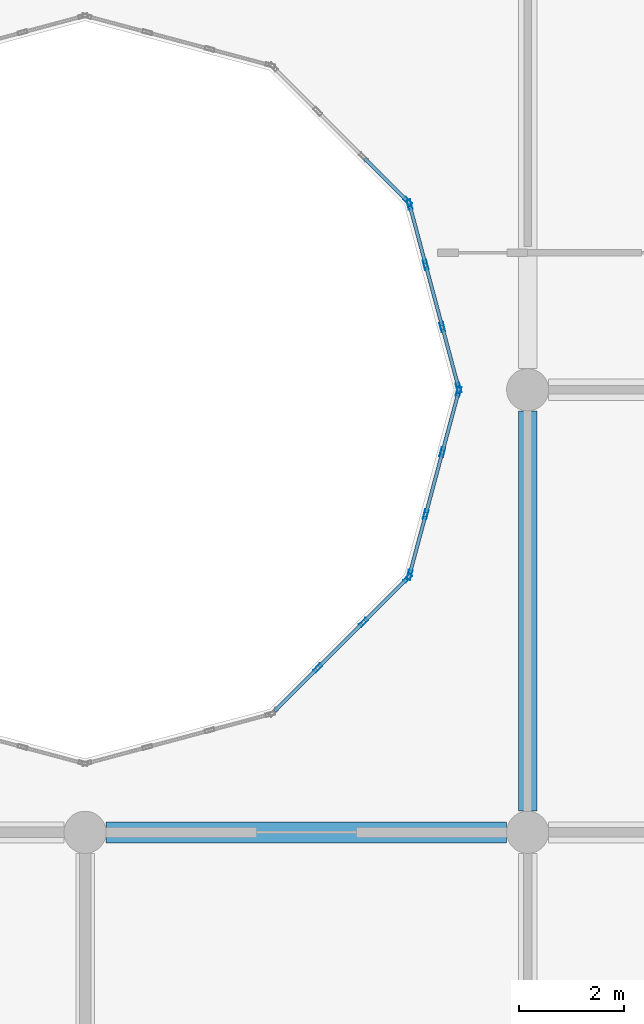
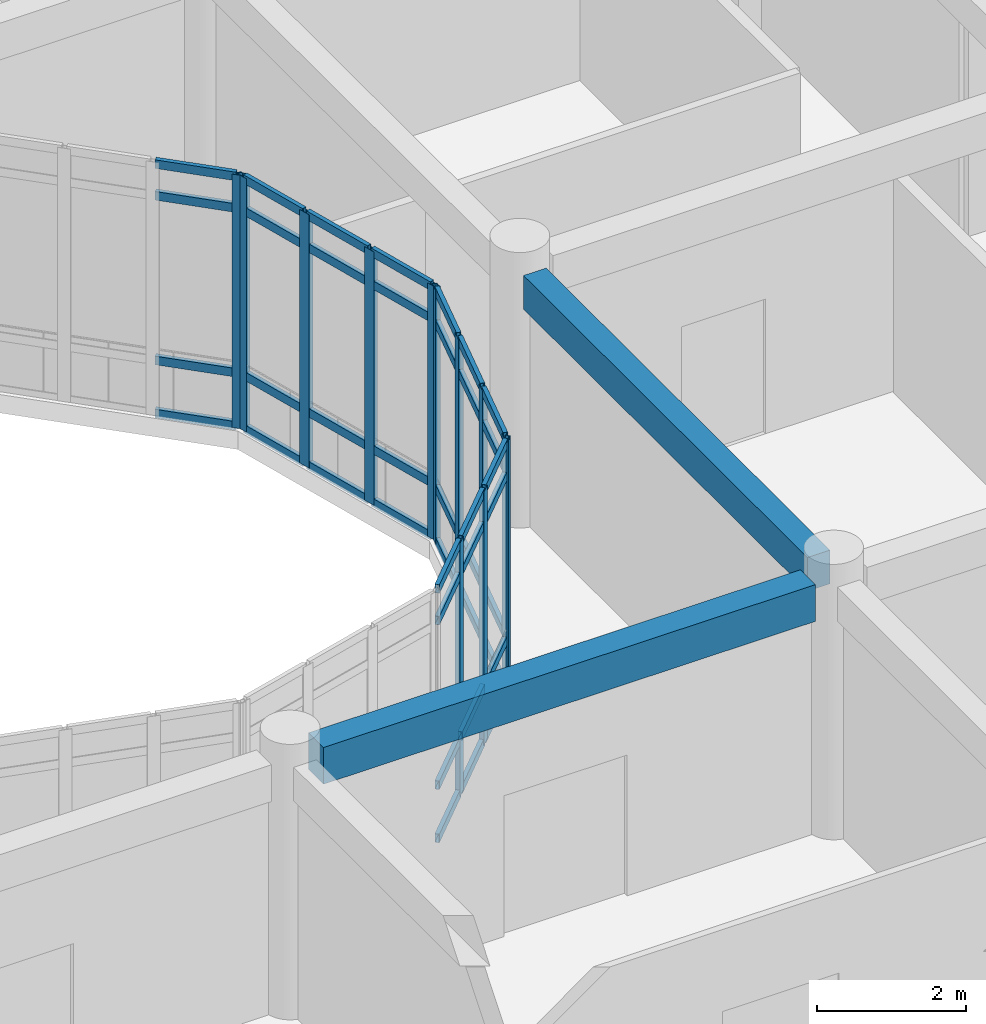
# One storey, part 46 of 144: 52 members, 2 beams, 4 elements without a shape of their own.
"""IFC4 building model written with IfcOpenShell, lengths in metres."""

from ifc_helpers import new_model, si_unit, direction, frame, origin, origin_2d, place, context, subcontext, project, spatial, rectangle, hollow_rectangle, extrude, material, layer, layer_set, material_profile, profile_set, type_object, element, aggregate, save


model = new_model("IFC4")

# Units and contexts
model_context = context("Model", 3, precision=1e-05, world=origin(), true_north=direction((0.0, 1.0)))
body_context = subcontext(model_context, "Body", "Model", "MODEL_VIEW")
ifc_project = project(units=[si_unit("LENGTHUNIT", "METRE"), si_unit("AREAUNIT", "SQUARE_METRE"), si_unit("VOLUMEUNIT", "CUBIC_METRE"), si_unit("PLANEANGLEUNIT", "RADIAN"), si_unit("MASSUNIT", "GRAM", prefix="KILO")], contexts=[model_context])

# Site, building, storey
site_placement = place(None, origin())
site = spatial("IfcSite", under=ifc_project, at=site_placement, CompositionType="ELEMENT")
building_placement = place(site_placement, origin())
building = spatial("IfcBuilding", under=site, at=building_placement, Name="Bramfleet General Hospital", CompositionType="ELEMENT")
storey_placement = place(building_placement, frame((0.0, 0.0, 4.800048828125)))
storey = spatial("IfcBuildingStorey", under=building, at=storey_placement, Name="L01", CompositionType="ELEMENT", Elevation=4.800048828125)

# Beams
ifc_material_1 = material(Name="Concrete C35/45", Category="concrete")
ifc_material_profile_1 = material_profile(ifc_material_1, rectangle(XDim=0.35009765625, YDim=0.550048828125, at=origin_2d()), Name="RC BM 550x350")
ifc_profile_set_1 = profile_set([ifc_material_profile_1], Name="Concrete C35/45")
beam_type_1 = type_object("IfcBeamType", Name="BM-RC550", PredefinedType="BEAM", material=ifc_profile_set_1)
beam_1_placement = place(storey_placement, frame((92.39990234375, 67.60009765625, 3.875), z_axis=(0.0, 1.0, 0.0), x_axis=(-1.0, 0.0, 0.0)))
element("IfcBeam", 1, at=beam_1_placement, inside=storey, type_object=beam_type_1, Name="L01 Grid Beam Y 11-08", PredefinedType="BEAM", context=body_context, shape_type="SweptSolid", body=[
    extrude(rectangle(XDim=0.35009765625, YDim=0.550048828125, at=origin_2d()), origin(), (0.0, 0.0, 1.0), 7.599853515625),
])
ifc_material_profile_2 = material_profile(ifc_material_1, rectangle(XDim=0.39990234375, YDim=0.60009765625, at=origin_2d()), Name="RC BM 600x400")
ifc_profile_set_2 = profile_set([ifc_material_profile_2], Name="Concrete C35/45")
beam_type_2 = type_object("IfcBeamType", Name="BM-RC600", PredefinedType="BEAM", material=ifc_profile_set_2)
beam_2_placement = place(storey_placement, frame((84.39990234375, 67.199951171875, 3.849853515625), z_axis=(1.0, 0.0, 0.0), x_axis=(0.0, 1.0, 0.0)))
element("IfcBeam", 2, at=beam_2_placement, inside=storey, type_object=beam_type_2, Name="L01 Grid Beam X 10-08", PredefinedType="BEAM", context=body_context, shape_type="SweptSolid", body=[
    extrude(rectangle(XDim=0.39990234375, YDim=0.60009765625, at=origin_2d()), origin(), (0.0, 0.0, 1.0), 7.60009765625),
])

# Curtain wall, members
ifc_material_2 = material(Name="Anodised aluminium and low-E triple glazing", Category="aluminium")
ifc_layer_1 = layer(ifc_material_2, 0.179931640625, Name="CWT-CW-17")
ifc_layer_set_1 = layer_set([ifc_layer_1], Name="Anodised aluminium and low-E triple glazing")
curtain_wall_type_1 = type_object("IfcCurtainWallType", Name="CWT-CW-17", PredefinedType="USERDEFINED", material=ifc_layer_set_1)
curtain_wall_1_placement = place(storey_placement, origin())
curtain_wall_1 = element("IfcCurtainWall", 3, at=curtain_wall_1_placement, inside=storey, type_object=curtain_wall_type_1, Name="L01 Central Diagnostic Light Court Curtain Wall 5.1", ObjectType="Stick curtain wall", PredefinedType="USERDEFINED")
ifc_material_3 = material(Name="Anodised aluminium EN AW-6060", Category="aluminium")
ifc_material_profile_3 = material_profile(ifc_material_3, hollow_rectangle(XDim=0.070068359375, YDim=0.179931640625, WallThickness=0.00390625, at=origin_2d()), Name="ALU 180x70x4.0")
ifc_profile_set_3 = profile_set([ifc_material_profile_3], Name="Anodised aluminium EN AW-6060")
member_type_1 = type_object("IfcMemberType", Name="CWM-ALU180", PredefinedType="MULLION", material=ifc_profile_set_3)
member_1_placement = place(storey_placement, frame((88.416259765625, 70.3173828125, 0.0), z_axis=(0.0, 0.0, 1.0), x_axis=(-0.707106781187, 0.707106781187, 0.0)))
member_1 = element("IfcMember", 4, at=member_1_placement, type_object=member_type_1, Name="CW-17 mullion 2", PredefinedType="MULLION", context=body_context, shape_type="SweptSolid", body=[
    extrude(hollow_rectangle(XDim=0.070068359375, YDim=0.179931640625, WallThickness=0.00390625, at=origin_2d()), origin(), (0.0, 0.0, 1.0), 4.139892578125),
])
member_2_placement = place(storey_placement, frame((89.28271484375, 71.18359375, 0.0), z_axis=(0.0, 0.0, 1.0), x_axis=(-0.707106781187, 0.707106781187, 0.0)))
member_2 = element("IfcMember", 5, at=member_2_placement, type_object=member_type_1, Name="CW-17 mullion 3", PredefinedType="MULLION", context=body_context, shape_type="SweptSolid", body=[
    extrude(hollow_rectangle(XDim=0.070068359375, YDim=0.179931640625, WallThickness=0.00390625, at=origin_2d()), origin(), (0.0, 0.0, 1.0), 4.139892578125),
])
member_3_placement = place(storey_placement, frame((90.124267578125, 72.025146484375, 0.0), z_axis=(0.0, 0.0, 1.0), x_axis=(-0.707106781187, 0.707106781187, 0.0)))
member_3 = element("IfcMember", 6, at=member_3_placement, type_object=member_type_1, Name="CW-17 mullion 4", PredefinedType="MULLION", context=body_context, shape_type="SweptSolid", body=[
    extrude(hollow_rectangle(XDim=0.070068359375, YDim=0.179931640625, WallThickness=0.00390625, at=origin_2d()), origin(), (0.0, 0.0, 1.0), 4.139892578125),
])

ifc_layer_2 = layer(ifc_material_2, 0.179931640625, Name="CWT-CW-18")
ifc_layer_set_2 = layer_set([ifc_layer_2], Name="Anodised aluminium and low-E triple glazing")
curtain_wall_type_2 = type_object("IfcCurtainWallType", Name="CWT-CW-18", PredefinedType="USERDEFINED", material=ifc_layer_set_2)
curtain_wall_2_placement = place(storey_placement, origin())
curtain_wall_2 = element("IfcCurtainWall", 7, at=curtain_wall_2_placement, inside=storey, type_object=curtain_wall_type_2, Name="L01 Central Diagnostic Light Court Curtain Wall 6.1", ObjectType="Stick curtain wall", PredefinedType="USERDEFINED")
member_4_placement = place(storey_placement, frame((90.157958984375, 72.083740234375, 0.0), z_axis=(0.0, 0.0, 1.0), x_axis=(-0.965940765005, 0.258763286618, 0.0)))
member_4 = element("IfcMember", 8, at=member_4_placement, type_object=member_type_1, Name="CW-18 mullion 1", PredefinedType="MULLION", context=body_context, shape_type="SweptSolid", body=[
    extrude(hollow_rectangle(XDim=0.070068359375, YDim=0.179931640625, WallThickness=0.00390625, at=origin_2d()), origin(), (0.0, 0.0, 1.0), 4.139892578125),
])
member_5_placement = place(storey_placement, frame((90.466064453125, 73.2333984375, 0.0), z_axis=(0.0, 0.0, 1.0), x_axis=(-0.965940765005, 0.258763286618, 0.0)))
member_5 = element("IfcMember", 9, at=member_5_placement, type_object=member_type_1, Name="CW-18 mullion 2", PredefinedType="MULLION", context=body_context, shape_type="SweptSolid", body=[
    extrude(hollow_rectangle(XDim=0.070068359375, YDim=0.179931640625, WallThickness=0.00390625, at=origin_2d()), origin(), (0.0, 0.0, 1.0), 4.139892578125),
])
member_6_placement = place(storey_placement, frame((90.782958984375, 74.416748046875, 0.0), z_axis=(0.0, 0.0, 1.0), x_axis=(-0.965940765005, 0.258763286618, 0.0)))
member_6 = element("IfcMember", 10, at=member_6_placement, type_object=member_type_1, Name="CW-18 mullion 3", PredefinedType="MULLION", context=body_context, shape_type="SweptSolid", body=[
    extrude(hollow_rectangle(XDim=0.070068359375, YDim=0.179931640625, WallThickness=0.00390625, at=origin_2d()), origin(), (0.0, 0.0, 1.0), 4.139892578125),
])
member_7_placement = place(storey_placement, frame((91.091064453125, 75.566162109375, 0.0), z_axis=(0.0, 0.0, 1.0), x_axis=(-0.965940765005, 0.258763286618, 0.0)))
member_7 = element("IfcMember", 11, at=member_7_placement, type_object=member_type_1, Name="CW-18 mullion 4", PredefinedType="MULLION", context=body_context, shape_type="SweptSolid", body=[
    extrude(hollow_rectangle(XDim=0.070068359375, YDim=0.179931640625, WallThickness=0.00390625, at=origin_2d()), origin(), (0.0, 0.0, 1.0), 4.139892578125),
])

ifc_layer_3 = layer(ifc_material_2, 0.179931640625, Name="CWT-CW-11")
ifc_layer_set_3 = layer_set([ifc_layer_3], Name="Anodised aluminium and low-E triple glazing")
curtain_wall_type_3 = type_object("IfcCurtainWallType", Name="CWT-CW-11", PredefinedType="USERDEFINED", material=ifc_layer_set_3)
curtain_wall_3_placement = place(storey_placement, origin())
curtain_wall_3 = element("IfcCurtainWall", 12, at=curtain_wall_3_placement, inside=storey, type_object=curtain_wall_type_3, Name="L01 Central Diagnostic Light Court Curtain Wall 7.1", ObjectType="Stick curtain wall", PredefinedType="USERDEFINED")
member_8_placement = place(storey_placement, frame((91.091064453125, 75.6337890625, 0.0), z_axis=(0.0, 0.0, 1.0), x_axis=(-0.965940765005, -0.258763286618, 0.0)))
member_8 = element("IfcMember", 13, at=member_8_placement, type_object=member_type_1, Name="CW-11 mullion 1", PredefinedType="MULLION", context=body_context, shape_type="SweptSolid", body=[
    extrude(hollow_rectangle(XDim=0.070068359375, YDim=0.179931640625, WallThickness=0.00390625, at=origin_2d()), origin(), (0.0, 0.0, 1.0), 4.139892578125),
])
member_9_placement = place(storey_placement, frame((90.782958984375, 76.783447265625, 0.0), z_axis=(0.0, 0.0, 1.0), x_axis=(-0.965940765005, -0.258763286618, 0.0)))
member_9 = element("IfcMember", 14, at=member_9_placement, type_object=member_type_1, Name="CW-11 mullion 2", PredefinedType="MULLION", context=body_context, shape_type="SweptSolid", body=[
    extrude(hollow_rectangle(XDim=0.070068359375, YDim=0.179931640625, WallThickness=0.00390625, at=origin_2d()), origin(), (0.0, 0.0, 1.0), 4.139892578125),
])
member_10_placement = place(storey_placement, frame((90.466064453125, 77.966552734375, 0.0), z_axis=(0.0, 0.0, 1.0), x_axis=(-0.965940765005, -0.258763286618, 0.0)))
member_10 = element("IfcMember", 15, at=member_10_placement, type_object=member_type_1, Name="CW-11 mullion 3", PredefinedType="MULLION", context=body_context, shape_type="SweptSolid", body=[
    extrude(hollow_rectangle(XDim=0.070068359375, YDim=0.179931640625, WallThickness=0.00390625, at=origin_2d()), origin(), (0.0, 0.0, 1.0), 4.139892578125),
])
member_11_placement = place(storey_placement, frame((90.157958984375, 79.1162109375, 0.0), z_axis=(0.0, 0.0, 1.0), x_axis=(-0.965940765005, -0.258763286618, 0.0)))
member_11 = element("IfcMember", 16, at=member_11_placement, type_object=member_type_1, Name="CW-11 mullion 4", PredefinedType="MULLION", context=body_context, shape_type="SweptSolid", body=[
    extrude(hollow_rectangle(XDim=0.070068359375, YDim=0.179931640625, WallThickness=0.00390625, at=origin_2d()), origin(), (0.0, 0.0, 1.0), 4.139892578125),
])

# Curtain wall, member
ifc_layer_4 = layer(ifc_material_2, 0.179931640625, Name="CWT-CW-12")
ifc_layer_set_4 = layer_set([ifc_layer_4], Name="Anodised aluminium and low-E triple glazing")
curtain_wall_type_4 = type_object("IfcCurtainWallType", Name="CWT-CW-12", PredefinedType="USERDEFINED", material=ifc_layer_set_4)
curtain_wall_4_placement = place(storey_placement, origin())
curtain_wall_4 = element("IfcCurtainWall", 17, at=curtain_wall_4_placement, inside=storey, type_object=curtain_wall_type_4, Name="L01 Central Diagnostic Light Court Curtain Wall 8.1", ObjectType="Stick curtain wall", PredefinedType="USERDEFINED")
member_12_placement = place(storey_placement, frame((90.124267578125, 79.1748046875, 0.0), z_axis=(0.0, 0.0, 1.0), x_axis=(-0.707106781187, -0.707106781187, 0.0)))
member_12 = element("IfcMember", 18, at=member_12_placement, type_object=member_type_1, Name="CW-12 mullion 1", PredefinedType="MULLION", context=body_context, shape_type="SweptSolid", body=[
    extrude(hollow_rectangle(XDim=0.070068359375, YDim=0.179931640625, WallThickness=0.00390625, at=origin_2d()), origin(), (0.0, 0.0, 1.0), 4.139892578125),
])

# Member
ifc_material_profile_4 = material_profile(ifc_material_3, hollow_rectangle(XDim=0.06494140625, YDim=0.139892578125, WallThickness=0.00390625, at=origin_2d()), Name="ALU 140x65x4.0")
ifc_profile_set_4 = profile_set([ifc_material_profile_4], Name="Anodised aluminium EN AW-6060")
member_type_2 = type_object("IfcMemberType", Name="CWT-ALU140", PredefinedType="USERDEFINED", material=ifc_profile_set_4)
member_13_placement = place(storey_placement, frame((87.599609375, 69.50048828125, 0.032470703125), z_axis=(0.707106781187, 0.707106781187, 0.0), x_axis=(-0.707106781187, 0.707106781187, 0.0)))
member_13 = element("IfcMember", 19, at=member_13_placement, type_object=member_type_2, Name="CW-17 transom 1.1", ObjectType="TRANSOM", PredefinedType="USERDEFINED", context=body_context, shape_type="SweptSolid", body=[
    extrude(hollow_rectangle(XDim=0.06494140625, YDim=0.139892578125, WallThickness=0.00390625, at=origin_2d()), origin(), (0.0, 0.0, 1.0), 1.1201171875),
])

member_14_placement = place(storey_placement, frame((87.599609375, 69.50048828125, 0.89990234375), z_axis=(0.707106781187, 0.707106781187, 0.0), x_axis=(-0.707106781187, 0.707106781187, 0.0)))
member_14 = element("IfcMember", 20, at=member_14_placement, type_object=member_type_2, Name="CW-17 transom 1.2", ObjectType="TRANSOM", PredefinedType="USERDEFINED", context=body_context, shape_type="SweptSolid", body=[
    extrude(hollow_rectangle(XDim=0.06494140625, YDim=0.139892578125, WallThickness=0.00390625, at=origin_2d()), origin(), (0.0, 0.0, 1.0), 1.1201171875),
])

member_15_placement = place(storey_placement, frame((87.599609375, 69.50048828125, 3.58984375), z_axis=(0.707106781187, 0.707106781187, 0.0), x_axis=(-0.707106781187, 0.707106781187, 0.0)))
member_15 = element("IfcMember", 21, at=member_15_placement, type_object=member_type_2, Name="CW-17 transom 1.3", ObjectType="TRANSOM", PredefinedType="USERDEFINED", context=body_context, shape_type="SweptSolid", body=[
    extrude(hollow_rectangle(XDim=0.06494140625, YDim=0.139892578125, WallThickness=0.00390625, at=origin_2d()), origin(), (0.0, 0.0, 1.0), 1.1201171875),
])

member_16_placement = place(storey_placement, frame((87.599609375, 69.50048828125, 4.107421875), z_axis=(0.707106781187, 0.707106781187, 0.0), x_axis=(-0.707106781187, 0.707106781187, 0.0)))
member_16 = element("IfcMember", 22, at=member_16_placement, type_object=member_type_2, Name="CW-17 transom 1.4", ObjectType="TRANSOM", PredefinedType="USERDEFINED", context=body_context, shape_type="SweptSolid", body=[
    extrude(hollow_rectangle(XDim=0.06494140625, YDim=0.139892578125, WallThickness=0.00390625, at=origin_2d()), origin(), (0.0, 0.0, 1.0), 1.1201171875),
])

member_17_placement = place(storey_placement, frame((88.441162109375, 70.342041015625, 0.032470703125), z_axis=(0.707001093006, 0.707212453572, 0.0), x_axis=(-0.707212453572, 0.707001093006, 0.0)))
member_17 = element("IfcMember", 23, at=member_17_placement, type_object=member_type_2, Name="CW-17 transom 2.1", ObjectType="TRANSOM", PredefinedType="USERDEFINED", context=body_context, shape_type="SweptSolid", body=[
    extrude(hollow_rectangle(XDim=0.06494140625, YDim=0.139892578125, WallThickness=0.00390625, at=origin_2d()), origin(), (0.0, 0.0, 1.0), 1.155029296875),
])

member_18_placement = place(storey_placement, frame((88.441162109375, 70.342041015625, 0.89990234375), z_axis=(0.707001093006, 0.707212453572, 0.0), x_axis=(-0.707212453572, 0.707001093006, 0.0)))
member_18 = element("IfcMember", 24, at=member_18_placement, type_object=member_type_2, Name="CW-17 transom 2.2", ObjectType="TRANSOM", PredefinedType="USERDEFINED", context=body_context, shape_type="SweptSolid", body=[
    extrude(hollow_rectangle(XDim=0.06494140625, YDim=0.139892578125, WallThickness=0.00390625, at=origin_2d()), origin(), (0.0, 0.0, 1.0), 1.155029296875),
])

member_19_placement = place(storey_placement, frame((88.441162109375, 70.342041015625, 3.58984375), z_axis=(0.707001093006, 0.707212453572, 0.0), x_axis=(-0.707212453572, 0.707001093006, 0.0)))
member_19 = element("IfcMember", 25, at=member_19_placement, type_object=member_type_2, Name="CW-17 transom 2.3", ObjectType="TRANSOM", PredefinedType="USERDEFINED", context=body_context, shape_type="SweptSolid", body=[
    extrude(hollow_rectangle(XDim=0.06494140625, YDim=0.139892578125, WallThickness=0.00390625, at=origin_2d()), origin(), (0.0, 0.0, 1.0), 1.155029296875),
])

member_20_placement = place(storey_placement, frame((88.441162109375, 70.342041015625, 4.107421875), z_axis=(0.707001093006, 0.707212453572, 0.0), x_axis=(-0.707212453572, 0.707001093006, 0.0)))
member_20 = element("IfcMember", 26, at=member_20_placement, type_object=member_type_2, Name="CW-17 transom 2.4", ObjectType="TRANSOM", PredefinedType="USERDEFINED", context=body_context, shape_type="SweptSolid", body=[
    extrude(hollow_rectangle(XDim=0.06494140625, YDim=0.139892578125, WallThickness=0.00390625, at=origin_2d()), origin(), (0.0, 0.0, 1.0), 1.155029296875),
])

member_21_placement = place(storey_placement, frame((89.307373046875, 71.20849609375, 0.032470703125), z_axis=(0.707215742858, 0.706997802722, 0.0), x_axis=(-0.706997802722, 0.707215742858, 0.0)))
member_21 = element("IfcMember", 27, at=member_21_placement, type_object=member_type_2, Name="CW-17 transom 3.1", ObjectType="TRANSOM", PredefinedType="USERDEFINED", context=body_context, shape_type="SweptSolid", body=[
    extrude(hollow_rectangle(XDim=0.06494140625, YDim=0.139892578125, WallThickness=0.00390625, at=origin_2d()), origin(), (0.0, 0.0, 1.0), 1.1201171875),
])

member_22_placement = place(storey_placement, frame((89.307373046875, 71.20849609375, 0.89990234375), z_axis=(0.707215742858, 0.706997802722, 0.0), x_axis=(-0.706997802722, 0.707215742858, 0.0)))
member_22 = element("IfcMember", 28, at=member_22_placement, type_object=member_type_2, Name="CW-17 transom 3.2", ObjectType="TRANSOM", PredefinedType="USERDEFINED", context=body_context, shape_type="SweptSolid", body=[
    extrude(hollow_rectangle(XDim=0.06494140625, YDim=0.139892578125, WallThickness=0.00390625, at=origin_2d()), origin(), (0.0, 0.0, 1.0), 1.1201171875),
])

member_23_placement = place(storey_placement, frame((89.307373046875, 71.20849609375, 3.58984375), z_axis=(0.707215742858, 0.706997802722, 0.0), x_axis=(-0.706997802722, 0.707215742858, 0.0)))
member_23 = element("IfcMember", 29, at=member_23_placement, type_object=member_type_2, Name="CW-17 transom 3.3", ObjectType="TRANSOM", PredefinedType="USERDEFINED", context=body_context, shape_type="SweptSolid", body=[
    extrude(hollow_rectangle(XDim=0.06494140625, YDim=0.139892578125, WallThickness=0.00390625, at=origin_2d()), origin(), (0.0, 0.0, 1.0), 1.1201171875),
])

member_24_placement = place(storey_placement, frame((89.307373046875, 71.20849609375, 4.107421875), z_axis=(0.707215742858, 0.706997802722, 0.0), x_axis=(-0.706997802722, 0.707215742858, 0.0)))
member_24 = element("IfcMember", 30, at=member_24_placement, type_object=member_type_2, Name="CW-17 transom 3.4", ObjectType="TRANSOM", PredefinedType="USERDEFINED", context=body_context, shape_type="SweptSolid", body=[
    extrude(hollow_rectangle(XDim=0.06494140625, YDim=0.139892578125, WallThickness=0.00390625, at=origin_2d()), origin(), (0.0, 0.0, 1.0), 1.1201171875),
])

aggregate(curtain_wall_1, [member_1, member_2, member_3, member_13, member_14, member_15, member_16, member_17, member_18, member_19, member_20, member_21, member_22, member_23, member_24])

member_25_placement = place(storey_placement, frame((90.1669921875, 72.11767578125, 0.032470703125), z_axis=(0.258964892978, 0.965886734667, 0.0), x_axis=(-0.965886734667, 0.258964892978, 0.0)))
member_25 = element("IfcMember", 31, at=member_25_placement, type_object=member_type_2, Name="CW-18 transom 1.1", ObjectType="TRANSOM", PredefinedType="USERDEFINED", context=body_context, shape_type="SweptSolid", body=[
    extrude(hollow_rectangle(XDim=0.06494140625, YDim=0.139892578125, WallThickness=0.00390625, at=origin_2d()), origin(), (0.0, 0.0, 1.0), 1.119873046875),
])

member_26_placement = place(storey_placement, frame((90.1669921875, 72.11767578125, 0.89990234375), z_axis=(0.258964892978, 0.965886734667, 0.0), x_axis=(-0.965886734667, 0.258964892978, 0.0)))
member_26 = element("IfcMember", 32, at=member_26_placement, type_object=member_type_2, Name="CW-18 transom 1.2", ObjectType="TRANSOM", PredefinedType="USERDEFINED", context=body_context, shape_type="SweptSolid", body=[
    extrude(hollow_rectangle(XDim=0.06494140625, YDim=0.139892578125, WallThickness=0.00390625, at=origin_2d()), origin(), (0.0, 0.0, 1.0), 1.119873046875),
])

member_27_placement = place(storey_placement, frame((90.1669921875, 72.11767578125, 3.58984375), z_axis=(0.258964892978, 0.965886734667, 0.0), x_axis=(-0.965886734667, 0.258964892978, 0.0)))
member_27 = element("IfcMember", 33, at=member_27_placement, type_object=member_type_2, Name="CW-18 transom 1.3", ObjectType="TRANSOM", PredefinedType="USERDEFINED", context=body_context, shape_type="SweptSolid", body=[
    extrude(hollow_rectangle(XDim=0.06494140625, YDim=0.139892578125, WallThickness=0.00390625, at=origin_2d()), origin(), (0.0, 0.0, 1.0), 1.119873046875),
])

member_28_placement = place(storey_placement, frame((90.1669921875, 72.11767578125, 4.107421875), z_axis=(0.258964892978, 0.965886734667, 0.0), x_axis=(-0.965886734667, 0.258964892978, 0.0)))
member_28 = element("IfcMember", 34, at=member_28_placement, type_object=member_type_2, Name="CW-18 transom 1.4", ObjectType="TRANSOM", PredefinedType="USERDEFINED", context=body_context, shape_type="SweptSolid", body=[
    extrude(hollow_rectangle(XDim=0.06494140625, YDim=0.139892578125, WallThickness=0.00390625, at=origin_2d()), origin(), (0.0, 0.0, 1.0), 1.119873046875),
])

member_29_placement = place(storey_placement, frame((90.47509765625, 73.26708984375, 0.032470703125), z_axis=(0.258714954608, 0.965953711242, 0.0), x_axis=(-0.965953711242, 0.258714954608, 0.0)))
member_29 = element("IfcMember", 35, at=member_29_placement, type_object=member_type_2, Name="CW-18 transom 2.1", ObjectType="TRANSOM", PredefinedType="USERDEFINED", context=body_context, shape_type="SweptSolid", body=[
    extrude(hollow_rectangle(XDim=0.06494140625, YDim=0.139892578125, WallThickness=0.00390625, at=origin_2d()), origin(), (0.0, 0.0, 1.0), 1.155029296875),
])

member_30_placement = place(storey_placement, frame((90.47509765625, 73.26708984375, 0.89990234375), z_axis=(0.258714954608, 0.965953711242, 0.0), x_axis=(-0.965953711242, 0.258714954608, 0.0)))
member_30 = element("IfcMember", 36, at=member_30_placement, type_object=member_type_2, Name="CW-18 transom 2.2", ObjectType="TRANSOM", PredefinedType="USERDEFINED", context=body_context, shape_type="SweptSolid", body=[
    extrude(hollow_rectangle(XDim=0.06494140625, YDim=0.139892578125, WallThickness=0.00390625, at=origin_2d()), origin(), (0.0, 0.0, 1.0), 1.155029296875),
])

member_31_placement = place(storey_placement, frame((90.47509765625, 73.26708984375, 3.58984375), z_axis=(0.258714954608, 0.965953711242, 0.0), x_axis=(-0.965953711242, 0.258714954608, 0.0)))
member_31 = element("IfcMember", 37, at=member_31_placement, type_object=member_type_2, Name="CW-18 transom 2.3", ObjectType="TRANSOM", PredefinedType="USERDEFINED", context=body_context, shape_type="SweptSolid", body=[
    extrude(hollow_rectangle(XDim=0.06494140625, YDim=0.139892578125, WallThickness=0.00390625, at=origin_2d()), origin(), (0.0, 0.0, 1.0), 1.155029296875),
])

member_32_placement = place(storey_placement, frame((90.47509765625, 73.26708984375, 4.107421875), z_axis=(0.258714954608, 0.965953711242, 0.0), x_axis=(-0.965953711242, 0.258714954608, 0.0)))
member_32 = element("IfcMember", 38, at=member_32_placement, type_object=member_type_2, Name="CW-18 transom 2.4", ObjectType="TRANSOM", PredefinedType="USERDEFINED", context=body_context, shape_type="SweptSolid", body=[
    extrude(hollow_rectangle(XDim=0.06494140625, YDim=0.139892578125, WallThickness=0.00390625, at=origin_2d()), origin(), (0.0, 0.0, 1.0), 1.155029296875),
])

member_33_placement = place(storey_placement, frame((90.7919921875, 74.450439453125, 0.032470703125), z_axis=(0.25870703371, 0.965955832691, 0.0), x_axis=(-0.965955832691, 0.25870703371, 0.0)))
member_33 = element("IfcMember", 39, at=member_33_placement, type_object=member_type_2, Name="CW-18 transom 3.1", ObjectType="TRANSOM", PredefinedType="USERDEFINED", context=body_context, shape_type="SweptSolid", body=[
    extrude(hollow_rectangle(XDim=0.06494140625, YDim=0.139892578125, WallThickness=0.00390625, at=origin_2d()), origin(), (0.0, 0.0, 1.0), 1.1201171875),
])

member_34_placement = place(storey_placement, frame((90.7919921875, 74.450439453125, 0.89990234375), z_axis=(0.25870703371, 0.965955832691, 0.0), x_axis=(-0.965955832691, 0.25870703371, 0.0)))
member_34 = element("IfcMember", 40, at=member_34_placement, type_object=member_type_2, Name="CW-18 transom 3.2", ObjectType="TRANSOM", PredefinedType="USERDEFINED", context=body_context, shape_type="SweptSolid", body=[
    extrude(hollow_rectangle(XDim=0.06494140625, YDim=0.139892578125, WallThickness=0.00390625, at=origin_2d()), origin(), (0.0, 0.0, 1.0), 1.1201171875),
])

member_35_placement = place(storey_placement, frame((90.7919921875, 74.450439453125, 3.58984375), z_axis=(0.25870703371, 0.965955832691, 0.0), x_axis=(-0.965955832691, 0.25870703371, 0.0)))
member_35 = element("IfcMember", 41, at=member_35_placement, type_object=member_type_2, Name="CW-18 transom 3.3", ObjectType="TRANSOM", PredefinedType="USERDEFINED", context=body_context, shape_type="SweptSolid", body=[
    extrude(hollow_rectangle(XDim=0.06494140625, YDim=0.139892578125, WallThickness=0.00390625, at=origin_2d()), origin(), (0.0, 0.0, 1.0), 1.1201171875),
])

member_36_placement = place(storey_placement, frame((90.7919921875, 74.450439453125, 4.107421875), z_axis=(0.25870703371, 0.965955832691, 0.0), x_axis=(-0.965955832691, 0.25870703371, 0.0)))
member_36 = element("IfcMember", 42, at=member_36_placement, type_object=member_type_2, Name="CW-18 transom 3.4", ObjectType="TRANSOM", PredefinedType="USERDEFINED", context=body_context, shape_type="SweptSolid", body=[
    extrude(hollow_rectangle(XDim=0.06494140625, YDim=0.139892578125, WallThickness=0.00390625, at=origin_2d()), origin(), (0.0, 0.0, 1.0), 1.1201171875),
])

aggregate(curtain_wall_2, [member_4, member_5, member_6, member_7, member_25, member_26, member_27, member_28, member_29, member_30, member_31, member_32, member_33, member_34, member_35, member_36])

member_37_placement = place(storey_placement, frame((91.081787109375, 75.667724609375, 0.032470703125), z_axis=(-0.258761510459, 0.965941240814, 0.0), x_axis=(-0.965941240814, -0.258761510459, 0.0)))
member_37 = element("IfcMember", 43, at=member_37_placement, type_object=member_type_2, Name="CW-11 transom 1.1", ObjectType="TRANSOM", PredefinedType="USERDEFINED", context=body_context, shape_type="SweptSolid", body=[
    extrude(hollow_rectangle(XDim=0.06494140625, YDim=0.139892578125, WallThickness=0.00390625, at=origin_2d()), origin(), (0.0, 0.0, 1.0), 1.119873046875),
])

member_38_placement = place(storey_placement, frame((91.081787109375, 75.667724609375, 0.89990234375), z_axis=(-0.258761510459, 0.965941240814, 0.0), x_axis=(-0.965941240814, -0.258761510459, 0.0)))
member_38 = element("IfcMember", 44, at=member_38_placement, type_object=member_type_2, Name="CW-11 transom 1.2", ObjectType="TRANSOM", PredefinedType="USERDEFINED", context=body_context, shape_type="SweptSolid", body=[
    extrude(hollow_rectangle(XDim=0.06494140625, YDim=0.139892578125, WallThickness=0.00390625, at=origin_2d()), origin(), (0.0, 0.0, 1.0), 1.119873046875),
])

member_39_placement = place(storey_placement, frame((91.081787109375, 75.667724609375, 3.58984375), z_axis=(-0.258761510459, 0.965941240814, 0.0), x_axis=(-0.965941240814, -0.258761510459, 0.0)))
member_39 = element("IfcMember", 45, at=member_39_placement, type_object=member_type_2, Name="CW-11 transom 1.3", ObjectType="TRANSOM", PredefinedType="USERDEFINED", context=body_context, shape_type="SweptSolid", body=[
    extrude(hollow_rectangle(XDim=0.06494140625, YDim=0.139892578125, WallThickness=0.00390625, at=origin_2d()), origin(), (0.0, 0.0, 1.0), 1.119873046875),
])

member_40_placement = place(storey_placement, frame((91.081787109375, 75.667724609375, 4.107421875), z_axis=(-0.258761510459, 0.965941240814, 0.0), x_axis=(-0.965941240814, -0.258761510459, 0.0)))
member_40 = element("IfcMember", 46, at=member_40_placement, type_object=member_type_2, Name="CW-11 transom 1.4", ObjectType="TRANSOM", PredefinedType="USERDEFINED", context=body_context, shape_type="SweptSolid", body=[
    extrude(hollow_rectangle(XDim=0.06494140625, YDim=0.139892578125, WallThickness=0.00390625, at=origin_2d()), origin(), (0.0, 0.0, 1.0), 1.119873046875),
])

member_41_placement = place(storey_placement, frame((90.77392578125, 76.817138671875, 0.032470703125), z_axis=(-0.258714954608, 0.965953711242, 0.0), x_axis=(-0.965953711242, -0.258714954608, 0.0)))
member_41 = element("IfcMember", 47, at=member_41_placement, type_object=member_type_2, Name="CW-11 transom 2.1", ObjectType="TRANSOM", PredefinedType="USERDEFINED", context=body_context, shape_type="SweptSolid", body=[
    extrude(hollow_rectangle(XDim=0.06494140625, YDim=0.139892578125, WallThickness=0.00390625, at=origin_2d()), origin(), (0.0, 0.0, 1.0), 1.155029296875),
])

member_42_placement = place(storey_placement, frame((90.77392578125, 76.817138671875, 0.89990234375), z_axis=(-0.258714954608, 0.965953711242, 0.0), x_axis=(-0.965953711242, -0.258714954608, 0.0)))
member_42 = element("IfcMember", 48, at=member_42_placement, type_object=member_type_2, Name="CW-11 transom 2.2", ObjectType="TRANSOM", PredefinedType="USERDEFINED", context=body_context, shape_type="SweptSolid", body=[
    extrude(hollow_rectangle(XDim=0.06494140625, YDim=0.139892578125, WallThickness=0.00390625, at=origin_2d()), origin(), (0.0, 0.0, 1.0), 1.155029296875),
])

member_43_placement = place(storey_placement, frame((90.77392578125, 76.817138671875, 3.58984375), z_axis=(-0.258714954608, 0.965953711242, 0.0), x_axis=(-0.965953711242, -0.258714954608, 0.0)))
member_43 = element("IfcMember", 49, at=member_43_placement, type_object=member_type_2, Name="CW-11 transom 2.3", ObjectType="TRANSOM", PredefinedType="USERDEFINED", context=body_context, shape_type="SweptSolid", body=[
    extrude(hollow_rectangle(XDim=0.06494140625, YDim=0.139892578125, WallThickness=0.00390625, at=origin_2d()), origin(), (0.0, 0.0, 1.0), 1.155029296875),
])

member_44_placement = place(storey_placement, frame((90.77392578125, 76.817138671875, 4.107421875), z_axis=(-0.258714954608, 0.965953711242, 0.0), x_axis=(-0.965953711242, -0.258714954608, 0.0)))
member_44 = element("IfcMember", 50, at=member_44_placement, type_object=member_type_2, Name="CW-11 transom 2.4", ObjectType="TRANSOM", PredefinedType="USERDEFINED", context=body_context, shape_type="SweptSolid", body=[
    extrude(hollow_rectangle(XDim=0.06494140625, YDim=0.139892578125, WallThickness=0.00390625, at=origin_2d()), origin(), (0.0, 0.0, 1.0), 1.155029296875),
])

member_45_placement = place(storey_placement, frame((90.45703125, 78.00048828125, 0.032470703125), z_axis=(-0.258964892978, 0.965886734667, 0.0), x_axis=(-0.965886734667, -0.258964892978, 0.0)))
member_45 = element("IfcMember", 51, at=member_45_placement, type_object=member_type_2, Name="CW-11 transom 3.1", ObjectType="TRANSOM", PredefinedType="USERDEFINED", context=body_context, shape_type="SweptSolid", body=[
    extrude(hollow_rectangle(XDim=0.06494140625, YDim=0.139892578125, WallThickness=0.00390625, at=origin_2d()), origin(), (0.0, 0.0, 1.0), 1.119873046875),
])

member_46_placement = place(storey_placement, frame((90.45703125, 78.00048828125, 0.89990234375), z_axis=(-0.258964892978, 0.965886734667, 0.0), x_axis=(-0.965886734667, -0.258964892978, 0.0)))
member_46 = element("IfcMember", 52, at=member_46_placement, type_object=member_type_2, Name="CW-11 transom 3.2", ObjectType="TRANSOM", PredefinedType="USERDEFINED", context=body_context, shape_type="SweptSolid", body=[
    extrude(hollow_rectangle(XDim=0.06494140625, YDim=0.139892578125, WallThickness=0.00390625, at=origin_2d()), origin(), (0.0, 0.0, 1.0), 1.119873046875),
])

member_47_placement = place(storey_placement, frame((90.45703125, 78.00048828125, 3.58984375), z_axis=(-0.258964892978, 0.965886734667, 0.0), x_axis=(-0.965886734667, -0.258964892978, 0.0)))
member_47 = element("IfcMember", 53, at=member_47_placement, type_object=member_type_2, Name="CW-11 transom 3.3", ObjectType="TRANSOM", PredefinedType="USERDEFINED", context=body_context, shape_type="SweptSolid", body=[
    extrude(hollow_rectangle(XDim=0.06494140625, YDim=0.139892578125, WallThickness=0.00390625, at=origin_2d()), origin(), (0.0, 0.0, 1.0), 1.119873046875),
])

member_48_placement = place(storey_placement, frame((90.45703125, 78.00048828125, 4.107421875), z_axis=(-0.258964892978, 0.965886734667, 0.0), x_axis=(-0.965886734667, -0.258964892978, 0.0)))
member_48 = element("IfcMember", 54, at=member_48_placement, type_object=member_type_2, Name="CW-11 transom 3.4", ObjectType="TRANSOM", PredefinedType="USERDEFINED", context=body_context, shape_type="SweptSolid", body=[
    extrude(hollow_rectangle(XDim=0.06494140625, YDim=0.139892578125, WallThickness=0.00390625, at=origin_2d()), origin(), (0.0, 0.0, 1.0), 1.119873046875),
])

aggregate(curtain_wall_3, [member_8, member_9, member_10, member_11, member_37, member_38, member_39, member_40, member_41, member_42, member_43, member_44, member_45, member_46, member_47, member_48])

member_49_placement = place(storey_placement, frame((90.099609375, 79.199462890625, 0.032470703125), z_axis=(-0.707106781187, 0.707106781187, 0.0), x_axis=(-0.707106781187, -0.707106781187, 0.0)))
member_49 = element("IfcMember", 55, at=member_49_placement, type_object=member_type_2, Name="CW-12 transom 1.1", ObjectType="TRANSOM", PredefinedType="USERDEFINED", context=body_context, shape_type="SweptSolid", body=[
    extrude(hollow_rectangle(XDim=0.06494140625, YDim=0.139892578125, WallThickness=0.00390625, at=origin_2d()), origin(), (0.0, 0.0, 1.0), 1.120361328125),
])

member_50_placement = place(storey_placement, frame((90.099609375, 79.199462890625, 0.89990234375), z_axis=(-0.707106781187, 0.707106781187, 0.0), x_axis=(-0.707106781187, -0.707106781187, 0.0)))
member_50 = element("IfcMember", 56, at=member_50_placement, type_object=member_type_2, Name="CW-12 transom 1.2", ObjectType="TRANSOM", PredefinedType="USERDEFINED", context=body_context, shape_type="SweptSolid", body=[
    extrude(hollow_rectangle(XDim=0.06494140625, YDim=0.139892578125, WallThickness=0.00390625, at=origin_2d()), origin(), (0.0, 0.0, 1.0), 1.120361328125),
])

member_51_placement = place(storey_placement, frame((90.099609375, 79.199462890625, 3.58984375), z_axis=(-0.707106781187, 0.707106781187, 0.0), x_axis=(-0.707106781187, -0.707106781187, 0.0)))
member_51 = element("IfcMember", 57, at=member_51_placement, type_object=member_type_2, Name="CW-12 transom 1.3", ObjectType="TRANSOM", PredefinedType="USERDEFINED", context=body_context, shape_type="SweptSolid", body=[
    extrude(hollow_rectangle(XDim=0.06494140625, YDim=0.139892578125, WallThickness=0.00390625, at=origin_2d()), origin(), (0.0, 0.0, 1.0), 1.120361328125),
])

member_52_placement = place(storey_placement, frame((90.099609375, 79.199462890625, 4.107421875), z_axis=(-0.707106781187, 0.707106781187, 0.0), x_axis=(-0.707106781187, -0.707106781187, 0.0)))
member_52 = element("IfcMember", 58, at=member_52_placement, type_object=member_type_2, Name="CW-12 transom 1.4", ObjectType="TRANSOM", PredefinedType="USERDEFINED", context=body_context, shape_type="SweptSolid", body=[
    extrude(hollow_rectangle(XDim=0.06494140625, YDim=0.139892578125, WallThickness=0.00390625, at=origin_2d()), origin(), (0.0, 0.0, 1.0), 1.120361328125),
])

aggregate(curtain_wall_4, [member_12, member_49, member_50, member_51, member_52])

save(model, "model.ifc")
